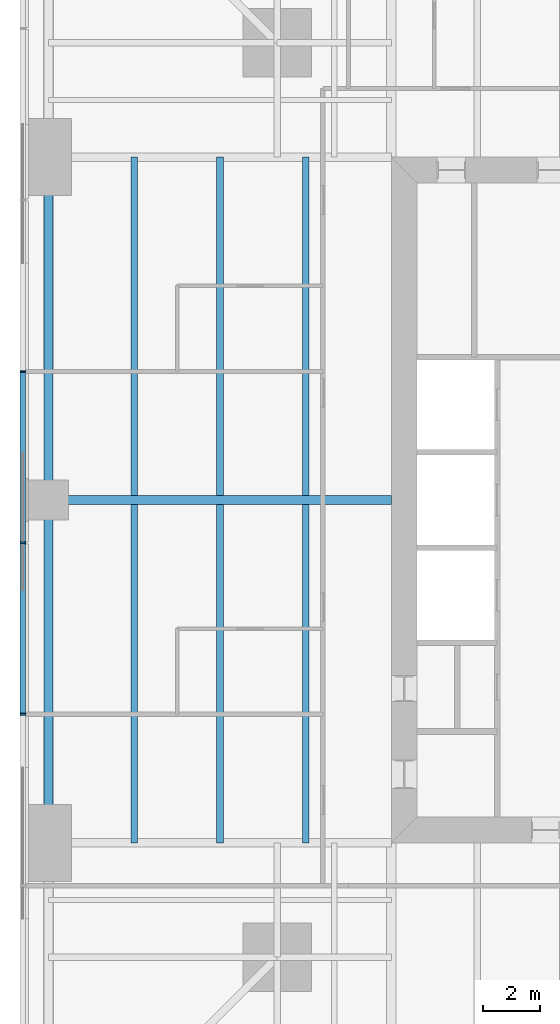
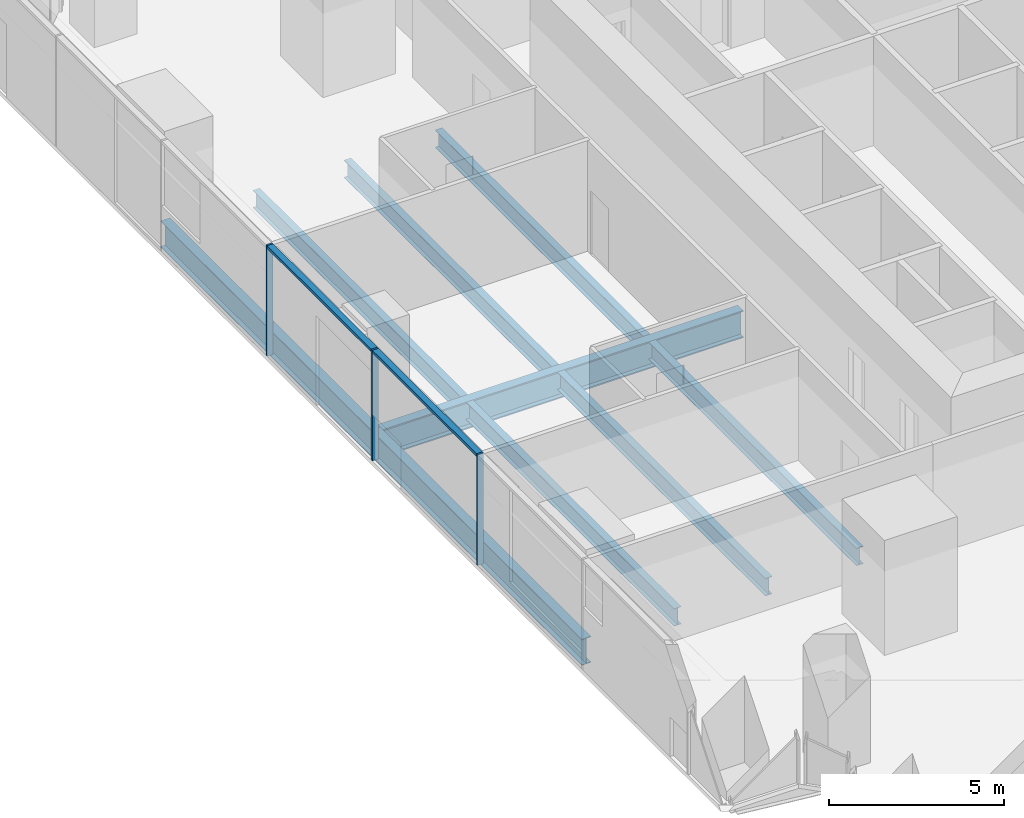
# One storey, part 4 of 14: 9 beams, 5 members, 1 element without a shape of its own.
"""IFC4 building model written with IfcOpenShell, lengths in metres."""

from ifc_helpers import new_model, si_unit, direction, frame, origin, origin_2d, place, context, subcontext, project, spatial, rectangle, i_section, extrude, material, material_profile, profile_set, type_object, element, aggregate, save


model = new_model("IFC4")

# Units and contexts
model_context = context("Model", 3, precision=1e-05, world=origin(), true_north=direction((0.0, 1.0)))
body_context = subcontext(model_context, "Body", "Model", "MODEL_VIEW")
ifc_project = project(units=[si_unit("LENGTHUNIT", "METRE"), si_unit("AREAUNIT", "SQUARE_METRE"), si_unit("VOLUMEUNIT", "CUBIC_METRE"), si_unit("PLANEANGLEUNIT", "RADIAN"), si_unit("MASSUNIT", "GRAM", prefix="KILO")], contexts=[model_context])

# Site, building, storey
site_placement = place(None, origin())
site = spatial("IfcSite", under=ifc_project, at=site_placement, CompositionType="ELEMENT")
building_placement = place(site_placement, origin())
building = spatial("IfcBuilding", under=site, at=building_placement, Name="Fenwick Lantern Interchange", CompositionType="ELEMENT")
storey_placement = place(building_placement, frame((0.0, 0.0, 83.0)))
storey = spatial("IfcBuildingStorey", under=building, at=storey_placement, Name="L19", CompositionType="ELEMENT", Elevation=83.0)

# Beams
ifc_material_1 = material(Name="Steel ASTM A992 Grade 50", Category="steel")
ifc_material_profile_1 = material_profile(ifc_material_1, i_section(OverallWidth=0.3046875, OverallDepth=0.911865234375, WebThickness=0.015869140625, FlangeThickness=0.02392578125, at=origin_2d()), Name="W36X150")
ifc_profile_set_1 = profile_set([ifc_material_profile_1], Name="Steel ASTM A992 Grade 50")
beam_type_1 = type_object("IfcBeamType", Name="EDGE BEAM W36X150", PredefinedType="SPANDREL", material=ifc_profile_set_1)
for number, where, z_axis, x_axis, name in (
    (1, (1.0, 37.0, -0.60595703125), (0.0, -1.0, 0.0), (1.0, 0.0, 0.0), "L19/FR/W/EB2"),
    (2, (1.0, 25.0, -0.60595703125), (0.0, -1.0, 0.0), (1.0, 0.0, 0.0), "L19/FR/W/EB3"),
):
    element("IfcBeam", number, at=place(storey_placement, frame(where, z_axis=z_axis, x_axis=x_axis)), inside=storey, type_object=beam_type_1, Name=name, PredefinedType="SPANDREL", context=body_context, shape_type="SweptSolid", body=[
        extrude(i_section(OverallWidth=0.3046875, OverallDepth=0.911865234375, WebThickness=0.015869140625, FlangeThickness=0.02392578125, at=origin_2d()), origin(), (0.0, 0.0, 1.0), 12.0),
    ])
ifc_material_profile_2 = material_profile(ifc_material_1, i_section(OverallWidth=0.22900390625, OverallDepth=0.612060546875, WebThickness=0.011962890625, FlangeThickness=0.01953125, at=origin_2d()), Name="W24X84")
ifc_profile_set_2 = profile_set([ifc_material_profile_2], Name="Steel ASTM A992 Grade 50")
beam_type_2 = type_object("IfcBeamType", Name="FLOOR BEAM W24X84", PredefinedType="BEAM", material=ifc_profile_set_2)
for number, where, z_axis, x_axis, name in (
    (3, (4.0, 37.0, -0.4560546875), (0.0, -1.0, 0.0), (1.0, 0.0, 0.0), "L19/FR/W/B01"),
    (4, (7.0, 37.0, -0.4560546875), (0.0, -1.0, 0.0), (1.0, 0.0, 0.0), "L19/FR/W/B02"),
    (5, (10.0, 37.0, -0.4560546875), (0.0, -1.0, 0.0), (1.0, 0.0, 0.0), "L19/FR/W/B03"),
    (6, (4.0, 24.844970703125, -0.4560546875), (0.0, -1.0, 0.0), (1.0, 0.0, 0.0), "L19/FR/W/B04"),
    (7, (7.0, 24.844970703125, -0.4560546875), (0.0, -1.0, 0.0), (1.0, 0.0, 0.0), "L19/FR/W/B05"),
    (8, (10.0, 24.844970703125, -0.4560546875), (0.0, -1.0, 0.0), (1.0, 0.0, 0.0), "L19/FR/W/B06"),
):
    element("IfcBeam", number, at=place(storey_placement, frame(where, z_axis=z_axis, x_axis=x_axis)), inside=storey, type_object=beam_type_2, Name=name, PredefinedType="BEAM", context=body_context, shape_type="SweptSolid", body=[
        extrude(i_section(OverallWidth=0.22900390625, OverallDepth=0.612060546875, WebThickness=0.011962890625, FlangeThickness=0.01953125, at=origin_2d()), origin(), (0.0, 0.0, 1.0), 11.844970703125),
    ])
ifc_material_profile_3 = material_profile(ifc_material_1, i_section(OverallWidth=0.309814453125, OverallDepth=0.949951171875, WebThickness=0.0244140625, FlangeThickness=0.0439453125, at=origin_2d()), Name="W36X256")
ifc_profile_set_3 = profile_set([ifc_material_profile_3], Name="Steel ASTM A992 Grade 50")
beam_type_3 = type_object("IfcBeamType", Name="MOMENT-CONNECTED GIRDER W36X256", PredefinedType="BEAM", material=ifc_profile_set_3)
beam_placement = place(storey_placement, frame((1.0, 25.0, -0.625), z_axis=(1.0, 0.0, 0.0), x_axis=(0.0, 1.0, 0.0)))
element("IfcBeam", 9, at=beam_placement, inside=storey, type_object=beam_type_3, Name="L19/FR/W/R02", PredefinedType="BEAM", context=body_context, shape_type="SweptSolid", body=[
    extrude(i_section(OverallWidth=0.309814453125, OverallDepth=0.949951171875, WebThickness=0.0244140625, FlangeThickness=0.0439453125, at=origin_2d()), origin(), (0.0, 0.0, 1.0), 12.0),
])

# Curtain wall, members
ifc_material_2 = material(Name="Aluminium curtain wall frame", Category="aluminium")
curtain_wall_type = type_object("IfcCurtainWallType", Name="OFFICE CURTAIN WALL", PredefinedType="USERDEFINED", material=ifc_material_2)
curtain_wall_placement = place(storey_placement, origin())
curtain_wall = element("IfcCurtainWall", 10, at=curtain_wall_placement, inside=storey, type_object=curtain_wall_type, Name="Office curtain wall 13", ObjectType="OFFICE CURTAIN WALL", PredefinedType="USERDEFINED")
ifc_material_3 = material(Name="Aluminium extrusion", Category="aluminium")
ifc_material_profile_4 = material_profile(ifc_material_3, rectangle(XDim=0.199951171875, YDim=0.06494140625, at=origin_2d()), Name="OFFICE CURTAIN WALL MULLION 65 X 200")
ifc_profile_set_4 = profile_set([ifc_material_profile_4], Name="Aluminium extrusion")
member_type_1 = type_object("IfcMemberType", Name="OFFICE CURTAIN WALL MULLION 65 X 200", PredefinedType="MULLION", material=ifc_profile_set_4)
member_1_placement = place(storey_placement, frame((0.10009765625, 29.5, 0.0), z_axis=(0.0, 0.0, 1.0), x_axis=(1.0, 0.0, 0.0)))
member_1 = element("IfcMember", 11, at=member_1_placement, type_object=member_type_1, Name="L19/CW/13/M03", PredefinedType="MULLION", context=body_context, shape_type="SweptSolid", body=[
    extrude(rectangle(XDim=0.199951171875, YDim=0.06494140625, at=origin_2d()), origin(), (0.0, 0.0, 1.0), 3.85009765625),
])
member_2_placement = place(storey_placement, frame((0.10009765625, 23.5, 0.0), z_axis=(0.0, 0.0, 1.0), x_axis=(1.0, 0.0, 0.0)))
member_2 = element("IfcMember", 12, at=member_2_placement, type_object=member_type_1, Name="L19/CW/13/M04", PredefinedType="MULLION", context=body_context, shape_type="SweptSolid", body=[
    extrude(rectangle(XDim=0.199951171875, YDim=0.06494140625, at=origin_2d()), origin(), (0.0, 0.0, 1.0), 3.85009765625),
])
member_3_placement = place(storey_placement, frame((0.10009765625, 17.5, 0.0), z_axis=(0.0, 0.0, 1.0), x_axis=(1.0, 0.0, 0.0)))
member_3 = element("IfcMember", 13, at=member_3_placement, type_object=member_type_1, Name="L19/CW/13/M05", PredefinedType="MULLION", context=body_context, shape_type="SweptSolid", body=[
    extrude(rectangle(XDim=0.199951171875, YDim=0.06494140625, at=origin_2d()), origin(), (0.0, 0.0, 1.0), 3.85009765625),
])
ifc_material_profile_5 = material_profile(ifc_material_3, rectangle(XDim=0.199951171875, YDim=0.10009765625, at=origin_2d()), Name="OFFICE CURTAIN WALL TRANSOM 100 X 200")
ifc_profile_set_5 = profile_set([ifc_material_profile_5], Name="Aluminium extrusion")
member_type_2 = type_object("IfcMemberType", Name="OFFICE CURTAIN WALL TRANSOM 100 X 200", PredefinedType="MULLION", material=ifc_profile_set_5)
member_4_placement = place(storey_placement, frame((0.10009765625, 29.467529296875, 3.800048828125), z_axis=(0.0, -1.0, 0.0), x_axis=(1.0, 0.0, 0.0)))
member_4 = element("IfcMember", 14, at=member_4_placement, type_object=member_type_2, Name="L19/CW/13/T03", PredefinedType="MULLION", context=body_context, shape_type="SweptSolid", body=[
    extrude(rectangle(XDim=0.199951171875, YDim=0.10009765625, at=origin_2d()), origin(), (0.0, 0.0, 1.0), 5.93505859375),
])
member_5_placement = place(storey_placement, frame((0.10009765625, 23.467529296875, 3.800048828125), z_axis=(0.0, -1.0, 0.0), x_axis=(1.0, 0.0, 0.0)))
member_5 = element("IfcMember", 15, at=member_5_placement, type_object=member_type_2, Name="L19/CW/13/T04", PredefinedType="MULLION", context=body_context, shape_type="SweptSolid", body=[
    extrude(rectangle(XDim=0.199951171875, YDim=0.10009765625, at=origin_2d()), origin(), (0.0, 0.0, 1.0), 5.93505859375),
])
aggregate(curtain_wall, [member_1, member_2, member_3, member_4, member_5])

save(model, "model.ifc")
